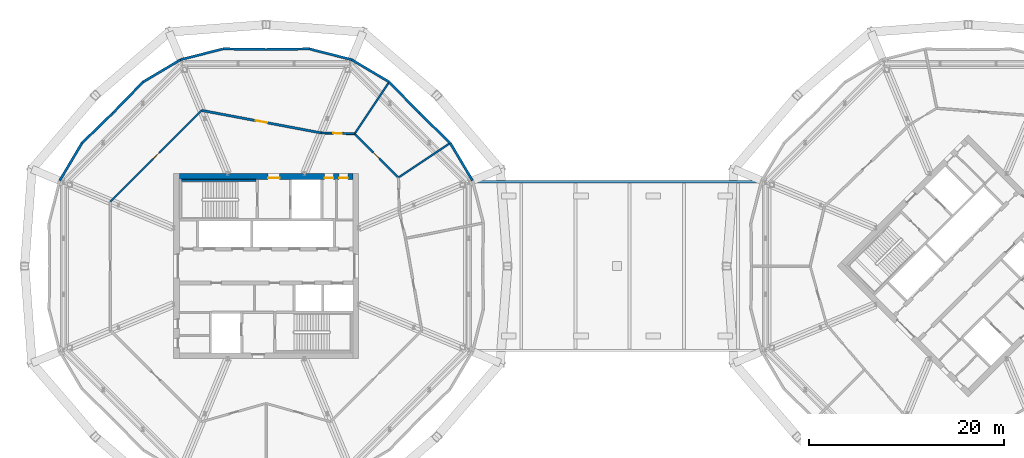
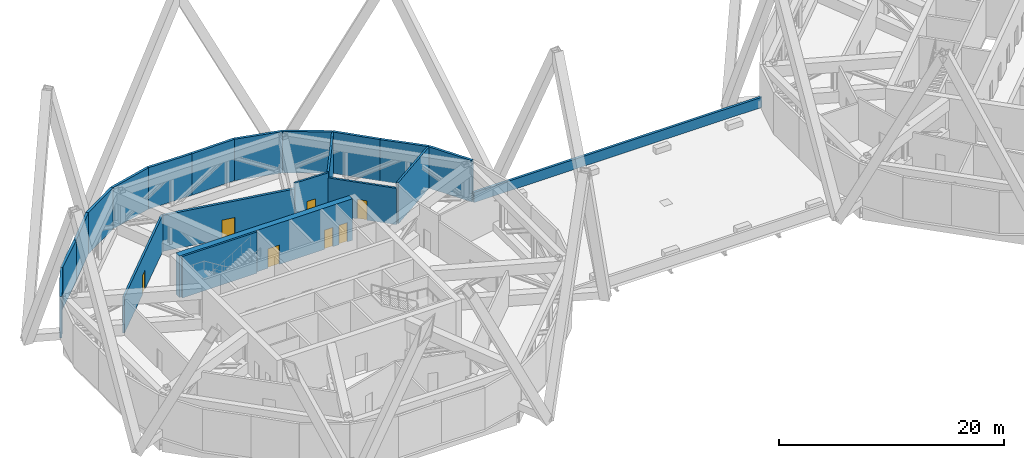
# One storey, part 14 of 20: 21 walls, 7 doors, 7 openings.
"""IFC4 building model written with IfcOpenShell, lengths in metres."""

from ifc_helpers import new_model, si_unit, direction, frame, frame_2d, origin, place, context, subcontext, project, spatial, rectangle, extrude, material, layer, layer_set, type_object, element, fill, save


model = new_model("IFC4")

# Units and contexts
model_context = context("Model", 3, precision=1e-05, world=origin(), true_north=direction((0.0, 1.0)))
body_context = subcontext(model_context, "Body", "Model", "MODEL_VIEW")
ifc_project = project(units=[si_unit("LENGTHUNIT", "METRE"), si_unit("AREAUNIT", "SQUARE_METRE"), si_unit("VOLUMEUNIT", "CUBIC_METRE"), si_unit("PLANEANGLEUNIT", "RADIAN"), si_unit("MASSUNIT", "GRAM", prefix="KILO")], contexts=[model_context])

# Site, building, storey
site_placement = place(None, origin())
site = spatial("IfcSite", under=ifc_project, at=site_placement, CompositionType="ELEMENT")
building_placement = place(site_placement, origin())
building = spatial("IfcBuilding", under=site, at=building_placement, Name="Ogive Gate Towers", CompositionType="ELEMENT")
storey_placement = place(building_placement, frame((0.0, 0.0, 160.800048828125)))
storey = spatial("IfcBuildingStorey", under=building, at=storey_placement, Name="L38", CompositionType="ELEMENT", Elevation=160.800048828125)

# Walls
ifc_material_1 = material(Name="Fire-rated block compartment wall")
ifc_layer_1 = layer(ifc_material_1, 0.199951171875)
ifc_layer_set_1 = layer_set([ifc_layer_1], Name="Compartment wall 200")
wall_type_1 = type_object("IfcWallType", Name="Compartment wall 200", PredefinedType="PARTITIONING", material=ifc_layer_set_1)
for number, where, z_axis, x_axis, name in (
    (1, (-17.09716796875, 12.639892578125, 0.0), (0.0, 0.0, 1.0), (-0.831287477317, -0.555842720611, 0.0), "Partition T1-L38-002"),
    (2, (-23.360107421875, 18.90283203125, 0.0), (0.0, 0.0, 1.0), (-0.555842720611, -0.831287477317, 0.0), "Partition T1-L38-003"),
):
    element("IfcWall", number, at=place(storey_placement, frame(where, z_axis=z_axis, x_axis=x_axis)), inside=storey, type_object=wall_type_1, Name=name, PredefinedType="PARTITIONING", context=body_context, shape_type="SweptSolid", body=[
        extrude(rectangle(XDim=6.30908203125, YDim=0.199951171875, at=frame_2d((3.154541015625, 0.0))), origin(), (0.0, 0.0, 1.0), 4.5),
    ])

# Wall, opening, door
wall_1_placement = place(storey_placement, frame((-22.4248046875, 9.077392578125, 0.0), z_axis=(0.0, 0.0, 1.0), x_axis=(-0.707106781187, 0.707106781187, 0.0)))
wall_1 = element("IfcWall", 3, at=wall_1_placement, inside=storey, type_object=wall_type_1, Name="Partition T1-L38-005", PredefinedType="PARTITIONING", context=body_context, shape_type="SweptSolid", body=[
    extrude(rectangle(XDim=6.36083984375, YDim=0.199951171875, at=frame_2d((3.180419921875, 0.0))), origin(), (0.0, 0.0, 1.0), 3.949951171875),
])
opening_1_placement = place(wall_1_placement, frame((2.75, 0.0, 0.0)))
opening_1 = element("IfcOpeningElement", 4, at=opening_1_placement, cuts=wall_1, Name="Opening T1-L38-D01", PredefinedType="OPENING", context=body_context, shape_type="SweptSolid", body=[
    extrude(rectangle(XDim=0.89990234375, YDim=2.10009765625, at=frame_2d((0.449951171875, 1.050048828125))), frame((0.0, 0.10986328125, 0.0), z_axis=(0.0, -1.0, 0.0), x_axis=(1.0, 0.0, 0.0)), (0.0, 0.0, 1.0), 0.219970703125),
])
ifc_material_2 = material(Name="Steel fire door", Category="steel")
door_type_1 = type_object("IfcDoorType", Name="Fire door 900 FD30S", OperationType="NOTDEFINED", PredefinedType="DOOR", material=ifc_material_2)
door_1_placement = place(opening_1_placement, origin())
door_1 = element("IfcDoor", 5, at=door_1_placement, inside=storey, type_object=door_type_1, Name="Door T1-L38-D01", OperationType="SINGLE_SWING_LEFT", OverallHeight=2.10009765625, OverallWidth=0.89990234375, PredefinedType="DOOR", context=body_context, shape_type="SweptSolid", body=[
    extrude(rectangle(XDim=0.89990234375, YDim=2.10009765625, at=frame_2d((0.449951171875, 1.050048828125))), frame((0.0, 0.02490234375, 0.0), z_axis=(0.0, -1.0, 0.0), x_axis=(1.0, 0.0, 0.0)), (0.0, 0.0, 1.0), 0.050048828125),
])
fill(opening_1, door_1)

wall_2_placement = place(storey_placement, frame((-26.922607421875, 13.5751953125, 0.0), z_axis=(0.0, 0.0, 1.0), x_axis=(-0.999721102886, 0.023616020915, 0.0)))
wall_2 = element("IfcWall", 6, at=wall_2_placement, inside=storey, type_object=wall_type_1, Name="Partition T1-L38-006", PredefinedType="PARTITIONING", context=body_context, shape_type="SweptSolid", body=[
    extrude(rectangle(XDim=3.421875, YDim=0.199951171875, at=frame_2d((1.7109375, 0.0))), origin(), (0.0, 0.0, 1.0), 4.5),
])
opening_2_placement = place(wall_2_placement, frame((1.300048828125, 0.0, 0.0)))
opening_2 = element("IfcOpeningElement", 7, at=opening_2_placement, cuts=wall_2, Name="Opening T1-L38-D02", PredefinedType="OPENING", context=body_context, shape_type="SweptSolid", body=[
    extrude(rectangle(XDim=0.89990234375, YDim=2.10009765625, at=frame_2d((0.449951171875, 1.050048828125))), frame((0.0, 0.10986328125, 0.0), z_axis=(0.0, -1.0, 0.0), x_axis=(1.0, 0.0, 0.0)), (0.0, 0.0, 1.0), 0.219970703125),
])
door_2_placement = place(opening_2_placement, origin())
door_2 = element("IfcDoor", 8, at=door_2_placement, inside=storey, type_object=door_type_1, Name="Door T1-L38-D02", OperationType="SINGLE_SWING_LEFT", OverallHeight=2.10009765625, OverallWidth=0.89990234375, PredefinedType="DOOR", context=body_context, shape_type="SweptSolid", body=[
    extrude(rectangle(XDim=0.89990234375, YDim=2.10009765625, at=frame_2d((0.449951171875, 1.050048828125))), frame((0.0, 0.02490234375, 0.0), z_axis=(0.0, -1.0, 0.0), x_axis=(1.0, 0.0, 0.0)), (0.0, 0.0, 1.0), 0.050048828125),
])
fill(opening_2, door_2)

wall_3_placement = place(storey_placement, frame((-42.613037109375, 15.965576171875, 0.0), z_axis=(0.0, 0.0, 1.0), x_axis=(-0.707106781187, -0.707106781187, 0.0)))
wall_3 = element("IfcWall", 9, at=wall_3_placement, inside=storey, type_object=wall_type_1, Name="Partition T1-L38-008", PredefinedType="PARTITIONING", context=body_context, shape_type="SweptSolid", body=[
    extrude(rectangle(XDim=13.2265625, YDim=0.199951171875, at=frame_2d((6.61328125, 0.0))), origin(), (0.0, 0.0, 1.0), 3.949951171875),
])
opening_3_placement = place(wall_3_placement, frame((6.14990234375, 0.0, 0.0)))
opening_3 = element("IfcOpeningElement", 10, at=opening_3_placement, cuts=wall_3, Name="Opening T1-L38-D04", PredefinedType="OPENING", context=body_context, shape_type="SweptSolid", body=[
    extrude(rectangle(XDim=0.89990234375, YDim=2.10009765625, at=frame_2d((0.449951171875, 1.050048828125))), frame((0.0, 0.10986328125, 0.0), z_axis=(0.0, -1.0, 0.0), x_axis=(1.0, 0.0, 0.0)), (0.0, 0.0, 1.0), 0.219970703125),
])
door_3_placement = place(opening_3_placement, origin())
door_3 = element("IfcDoor", 11, at=door_3_placement, inside=storey, type_object=door_type_1, Name="Door T1-L38-D04", OperationType="SINGLE_SWING_LEFT", OverallHeight=2.10009765625, OverallWidth=0.89990234375, PredefinedType="DOOR", context=body_context, shape_type="SweptSolid", body=[
    extrude(rectangle(XDim=0.89990234375, YDim=2.10009765625, at=frame_2d((0.449951171875, 1.050048828125))), frame((0.0, 0.02490234375, 0.0), z_axis=(0.0, -1.0, 0.0), x_axis=(1.0, 0.0, 0.0)), (0.0, 0.0, 1.0), 0.050048828125),
])
fill(opening_3, door_3)

# Wall, openings, doors
ifc_material_3 = material(Name="Concrete C60/75", Category="concrete")
ifc_layer_2 = layer(ifc_material_3, 0.60009765625)
ifc_layer_set_2 = layer_set([ifc_layer_2], Name="Core wall 600 mm")
wall_type_2 = type_object("IfcWallType", Name="Core wall 600 mm", PredefinedType="SHEAR", material=ifc_layer_set_2)
wall_4_placement = place(storey_placement, frame((-44.89990234375, 9.199951171875, 0.0), z_axis=(0.0, 0.0, 1.0), x_axis=(1.0, 0.0, 0.0)))
wall_4 = element("IfcWall", 12, at=wall_4_placement, inside=storey, type_object=wall_type_2, Name="T1 L38 Core wall 600 mm", PredefinedType="SHEAR", context=body_context, shape_type="SweptSolid", body=[
    extrude(rectangle(XDim=17.7998046875, YDim=0.60009765625, at=frame_2d((8.89990234375, 0.0))), origin(), (0.0, 0.0, 1.0), 4.5),
])
opening_4_placement = place(wall_4_placement, frame((9.10009765625, 0.0, 0.0)))
opening_4 = element("IfcOpeningElement", 13, at=opening_4_placement, cuts=wall_4, Name="Opening KD-T1-L38-18", PredefinedType="OPENING", context=body_context, shape_type="SweptSolid", body=[
    extrude(rectangle(XDim=1.199951171875, YDim=2.10009765625, at=frame_2d((0.60009765625, 1.050048828125))), frame((0.0, 0.31005859375, 0.0), z_axis=(0.0, -1.0, 0.0), x_axis=(1.0, 0.0, 0.0)), (0.0, 0.0, 1.0), 0.6201171875),
])
opening_5_placement = place(wall_4_placement, frame((14.89990234375, 0.0, 0.0)))
opening_5 = element("IfcOpeningElement", 14, at=opening_5_placement, cuts=wall_4, Name="Opening KD-T1-L38-20", PredefinedType="OPENING", context=body_context, shape_type="SweptSolid", body=[
    extrude(rectangle(XDim=0.89990234375, YDim=2.10009765625, at=frame_2d((0.449951171875, 1.050048828125))), frame((0.0, 0.31005859375, 0.0), z_axis=(0.0, -1.0, 0.0), x_axis=(1.0, 0.0, 0.0)), (0.0, 0.0, 1.0), 0.6201171875),
])
opening_6_placement = place(wall_4_placement, frame((16.39990234375, 0.0, 0.0)))
opening_6 = element("IfcOpeningElement", 15, at=opening_6_placement, cuts=wall_4, Name="Opening KD-T1-L38-21", PredefinedType="OPENING", context=body_context, shape_type="SweptSolid", body=[
    extrude(rectangle(XDim=0.89990234375, YDim=2.10009765625, at=frame_2d((0.449951171875, 1.050048828125))), frame((0.0, 0.31005859375, 0.0), z_axis=(0.0, -1.0, 0.0), x_axis=(1.0, 0.0, 0.0)), (0.0, 0.0, 1.0), 0.6201171875),
])
door_type_2 = type_object("IfcDoorType", Name="Core door FD60S 1200 x 2100", OperationType="NOTDEFINED", PredefinedType="DOOR", material=ifc_material_2)
door_4_placement = place(opening_4_placement, origin())
door_4 = element("IfcDoor", 16, at=door_4_placement, inside=storey, type_object=door_type_2, Name="T1 L38 Fire-fighting lobby door", OperationType="SINGLE_SWING_LEFT", OverallHeight=2.10009765625, OverallWidth=1.199951171875, PredefinedType="DOOR", context=body_context, shape_type="SweptSolid", body=[
    extrude(rectangle(XDim=1.199951171875, YDim=2.10009765625, at=frame_2d((0.60009765625, 1.050048828125))), frame((0.0, -0.125, 0.0), z_axis=(0.0, -1.0, 0.0), x_axis=(1.0, 0.0, 0.0)), (0.0, 0.0, 1.0), 0.050048828125),
])
fill(opening_4, door_4)
door_type_3 = type_object("IfcDoorType", Name="Core door FD60S 900 x 2100", OperationType="NOTDEFINED", PredefinedType="DOOR", material=ifc_material_2)
door_5_placement = place(opening_5_placement, origin())
door_5 = element("IfcDoor", 17, at=door_5_placement, inside=storey, type_object=door_type_3, Name="T1 L38 Core door", OperationType="SINGLE_SWING_LEFT", OverallHeight=2.10009765625, OverallWidth=0.89990234375, PredefinedType="DOOR", context=body_context, shape_type="SweptSolid", body=[
    extrude(rectangle(XDim=0.89990234375, YDim=2.10009765625, at=frame_2d((0.449951171875, 1.050048828125))), frame((0.0, -0.125, 0.0), z_axis=(0.0, -1.0, 0.0), x_axis=(1.0, 0.0, 0.0)), (0.0, 0.0, 1.0), 0.050048828125),
])
fill(opening_5, door_5)
door_6_placement = place(opening_6_placement, origin())
door_6 = element("IfcDoor", 18, at=door_6_placement, inside=storey, type_object=door_type_3, Name="T1 L38 Core door", OperationType="SINGLE_SWING_RIGHT", OverallHeight=2.10009765625, OverallWidth=0.89990234375, PredefinedType="DOOR", context=body_context, shape_type="SweptSolid", body=[
    extrude(rectangle(XDim=0.89990234375, YDim=2.10009765625, at=frame_2d((0.449951171875, 1.050048828125))), frame((0.0, -0.125, 0.0), z_axis=(0.0, -1.0, 0.0), x_axis=(1.0, 0.0, 0.0)), (0.0, 0.0, 1.0), 0.050048828125),
])
fill(opening_6, door_6)

# Walls
ifc_material_4 = material(Name="Precast concrete C40/50", Category="concrete")
ifc_layer_3 = layer(ifc_material_4, 0.25)
ifc_layer_set_3 = layer_set([ifc_layer_3], Name="Parapet wall 1100")
wall_type_3 = type_object("IfcWallType", Name="Parapet wall 1100", PredefinedType="PARAPET", material=ifc_layer_set_3)
wall_5_placement = place(storey_placement, frame((14.80615234375, 8.65380859375, 0.0), z_axis=(0.0, 0.0, 1.0), x_axis=(-1.0, 0.0, 0.0)))
element("IfcWall", 19, at=wall_5_placement, inside=storey, type_object=wall_type_3, Name="Parapet wall", PredefinedType="PARAPET", context=body_context, shape_type="SweptSolid", body=[
    extrude(rectangle(XDim=29.6123046875, YDim=0.25, at=frame_2d((14.80615234375, 0.0))), origin(), (0.0, 0.0, 1.0), 1.099853515625),
])
ifc_material_5 = material(Name="Pale metal aluminium louvre", Category="aluminium")
ifc_layer_4 = layer(ifc_material_5, 0.25)
ifc_layer_set_4 = layer_set([ifc_layer_4], Name="Plant louvre wall")
wall_type_4 = type_object("IfcWallType", Name="Plant louvre wall", PredefinedType="SOLIDWALL", material=ifc_layer_set_4)
wall_6_placement = place(storey_placement, frame((-14.82958984375, 8.76904296875, 0.0), z_axis=(0.0, 0.0, 1.0), x_axis=(-0.510092473899, 0.860119566149, 0.0)))
element("IfcWall", 20, at=wall_6_placement, inside=storey, type_object=wall_type_4, Name="Plant louvre wall", PredefinedType="SOLIDWALL", context=body_context, shape_type="SweptSolid", body=[
    extrude(rectangle(XDim=4.47509765625, YDim=0.25, at=frame_2d((2.237548828125, 0.0))), origin(), (0.0, 0.0, 1.0), 4.5),
])
for number, where, z_axis, x_axis, name in (
    (21, (-17.1123046875, 12.6181640625, 0.0), (0.0, 0.0, 1.0), (-0.717057604058, 0.69701391124, 0.0), "Plant louvre wall"),
    (22, (-20.29150390625, 15.70849609375, 0.0), (0.0, 0.0, 1.0), (-0.69701391124, 0.717057604058, 0.0), "Plant louvre wall"),
):
    element("IfcWall", number, at=place(storey_placement, frame(where, z_axis=z_axis, x_axis=x_axis)), inside=storey, type_object=wall_type_4, Name=name, PredefinedType="SOLIDWALL", context=body_context, shape_type="SweptSolid", body=[
        extrude(rectangle(XDim=4.43359375, YDim=0.25, at=frame_2d((2.216796875, 0.0))), origin(), (0.0, 0.0, 1.0), 4.5),
    ])
wall_7_placement = place(storey_placement, frame((-23.3818359375, 18.8876953125, 0.0), z_axis=(0.0, 0.0, 1.0), x_axis=(-0.860119566149, 0.510092473899, 0.0)))
element("IfcWall", 23, at=wall_7_placement, inside=storey, type_object=wall_type_4, Name="Plant louvre wall", PredefinedType="SOLIDWALL", context=body_context, shape_type="SweptSolid", body=[
    extrude(rectangle(XDim=4.47509765625, YDim=0.25, at=frame_2d((2.237548828125, 0.0))), origin(), (0.0, 0.0, 1.0), 4.5),
])
wall_8_placement = place(storey_placement, frame((-27.23095703125, 21.17041015625, 0.0), z_axis=(0.0, 0.0, 1.0), x_axis=(-0.968881251356, 0.247526000192, 0.0)))
element("IfcWall", 24, at=wall_8_placement, inside=storey, type_object=wall_type_4, Name="Plant louvre wall", PredefinedType="SOLIDWALL", context=body_context, shape_type="SweptSolid", body=[
    extrude(rectangle(XDim=4.474853515625, YDim=0.25, at=frame_2d((2.2373046875, 0.0))), origin(), (0.0, 0.0, 1.0), 4.5),
])
for number, where, z_axis, x_axis, name in (
    (25, (-31.566650390625, 22.278076171875, 0.0), (0.0, 0.0, 1.0), (-0.99989908405, -0.014206397031, 0.0), "Plant louvre wall"),
    (26, (-36.0, 22.215087890625, 0.0), (0.0, 0.0, 1.0), (-0.99989908405, 0.014206397031, 0.0), "Plant louvre wall"),
):
    element("IfcWall", number, at=place(storey_placement, frame(where, z_axis=z_axis, x_axis=x_axis)), inside=storey, type_object=wall_type_4, Name=name, PredefinedType="SOLIDWALL", context=body_context, shape_type="SweptSolid", body=[
        extrude(rectangle(XDim=4.433837890625, YDim=0.25, at=frame_2d((2.216796875, 0.0))), origin(), (0.0, 0.0, 1.0), 4.5),
    ])
wall_9_placement = place(storey_placement, frame((-40.433349609375, 22.278076171875, 0.0), z_axis=(0.0, 0.0, 1.0), x_axis=(-0.968881251356, -0.247526000192, 0.0)))
element("IfcWall", 27, at=wall_9_placement, inside=storey, type_object=wall_type_4, Name="Plant louvre wall", PredefinedType="SOLIDWALL", context=body_context, shape_type="SweptSolid", body=[
    extrude(rectangle(XDim=4.474853515625, YDim=0.25, at=frame_2d((2.2373046875, 0.0))), origin(), (0.0, 0.0, 1.0), 4.5),
])
wall_10_placement = place(storey_placement, frame((-44.76904296875, 21.17041015625, 0.0), z_axis=(0.0, 0.0, 1.0), x_axis=(-0.860119566149, -0.510092473899, 0.0)))
element("IfcWall", 28, at=wall_10_placement, inside=storey, type_object=wall_type_4, Name="Plant louvre wall", PredefinedType="SOLIDWALL", context=body_context, shape_type="SweptSolid", body=[
    extrude(rectangle(XDim=4.47509765625, YDim=0.25, at=frame_2d((2.237548828125, 0.0))), origin(), (0.0, 0.0, 1.0), 4.5),
])
for number, where, z_axis, x_axis, name in (
    (29, (-48.6181640625, 18.8876953125, 0.0), (0.0, 0.0, 1.0), (-0.69701391124, -0.717057604058, 0.0), "Plant louvre wall"),
    (30, (-51.70849609375, 15.70849609375, 0.0), (0.0, 0.0, 1.0), (-0.717057604058, -0.69701391124, 0.0), "Plant louvre wall"),
):
    element("IfcWall", number, at=place(storey_placement, frame(where, z_axis=z_axis, x_axis=x_axis)), inside=storey, type_object=wall_type_4, Name=name, PredefinedType="SOLIDWALL", context=body_context, shape_type="SweptSolid", body=[
        extrude(rectangle(XDim=4.43359375, YDim=0.25, at=frame_2d((2.216796875, 0.0))), origin(), (0.0, 0.0, 1.0), 4.5),
    ])
wall_11_placement = place(storey_placement, frame((-54.8876953125, 12.6181640625, 0.0), z_axis=(0.0, 0.0, 1.0), x_axis=(-0.510092473899, -0.860119566149, 0.0)))
element("IfcWall", 31, at=wall_11_placement, inside=storey, type_object=wall_type_4, Name="Plant louvre wall", PredefinedType="SOLIDWALL", context=body_context, shape_type="SweptSolid", body=[
    extrude(rectangle(XDim=4.47509765625, YDim=0.25, at=frame_2d((2.237548828125, 0.0))), origin(), (0.0, 0.0, 1.0), 4.5),
])

# Wall, opening, door
ifc_material_6 = material(Name="Fire-rated concrete block wall", Category="concrete")
ifc_layer_5 = layer(ifc_material_6, 0.25)
ifc_layer_set_5 = layer_set([ifc_layer_5], Name="Refuge compartment wall 250")
wall_type_5 = type_object("IfcWallType", Name="Refuge compartment wall 250", PredefinedType="PARTITIONING", material=ifc_layer_set_5)
wall_12_placement = place(storey_placement, frame((-30.343505859375, 13.656005859375, 0.0), z_axis=(0.0, 0.0, 1.0), x_axis=(-0.982740885041, 0.184987439758, 0.0)))
wall_12 = element("IfcWall", 32, at=wall_12_placement, inside=storey, type_object=wall_type_5, Name="Partition T1-L38-007", PredefinedType="PARTITIONING", context=body_context, shape_type="SweptSolid", body=[
    extrude(rectangle(XDim=12.485107421875, YDim=0.25, at=frame_2d((6.24267578125, 0.0))), origin(), (0.0, 0.0, 1.0), 3.89990234375),
])
opening_7_placement = place(wall_12_placement, frame((5.64990234375, 0.0, 0.0)))
opening_7 = element("IfcOpeningElement", 33, at=opening_7_placement, cuts=wall_12, Name="Opening T1-L38-D03", PredefinedType="OPENING", context=body_context, shape_type="SweptSolid", body=[
    extrude(rectangle(XDim=1.199951171875, YDim=2.10009765625, at=frame_2d((0.60009765625, 1.050048828125))), frame((0.0, 0.135009765625, 0.0), z_axis=(0.0, -1.0, 0.0), x_axis=(1.0, 0.0, 0.0)), (0.0, 0.0, 1.0), 0.27001953125),
])
door_type_4 = type_object("IfcDoorType", Name="Fire door 1200 FD60S", OperationType="NOTDEFINED", PredefinedType="DOOR", material=ifc_material_2)
door_7_placement = place(opening_7_placement, origin())
door_7 = element("IfcDoor", 34, at=door_7_placement, inside=storey, type_object=door_type_4, Name="Door T1-L38-D03", OperationType="SINGLE_SWING_RIGHT", OverallHeight=2.10009765625, OverallWidth=1.199951171875, PredefinedType="DOOR", context=body_context, shape_type="SweptSolid", body=[
    extrude(rectangle(XDim=1.199951171875, YDim=2.10009765625, at=frame_2d((0.60009765625, 1.050048828125))), frame((0.0, 0.02490234375, 0.0), z_axis=(0.0, -1.0, 0.0), x_axis=(1.0, 0.0, 0.0)), (0.0, 0.0, 1.0), 0.050048828125),
])
fill(opening_7, door_7)

# Wall
ifc_layer_6 = layer(ifc_material_3, 0.199951171875)
ifc_layer_set_6 = layer_set([ifc_layer_6], Name="Stair wall 200 mm")
wall_type_6 = type_object("IfcWallType", Name="Stair wall 200 mm", PredefinedType="SHEAR", material=ifc_layer_set_6)
wall_13_placement = place(storey_placement, frame((-44.699951171875, 8.800048828125, 0.0), z_axis=(0.0, 0.0, 1.0), x_axis=(1.0, 0.0, 0.0)))
element("IfcWall", 35, at=wall_13_placement, inside=storey, type_object=wall_type_6, Name="T1 L38 Stair wall 200 mm", PredefinedType="SHEAR", context=body_context, shape_type="SweptSolid", body=[
    extrude(rectangle(XDim=7.675048828125, YDim=0.199951171875, at=frame_2d((3.83740234375, 0.0))), origin(), (0.0, 0.0, 1.0), 4.5),
])

save(model, "model.ifc")
